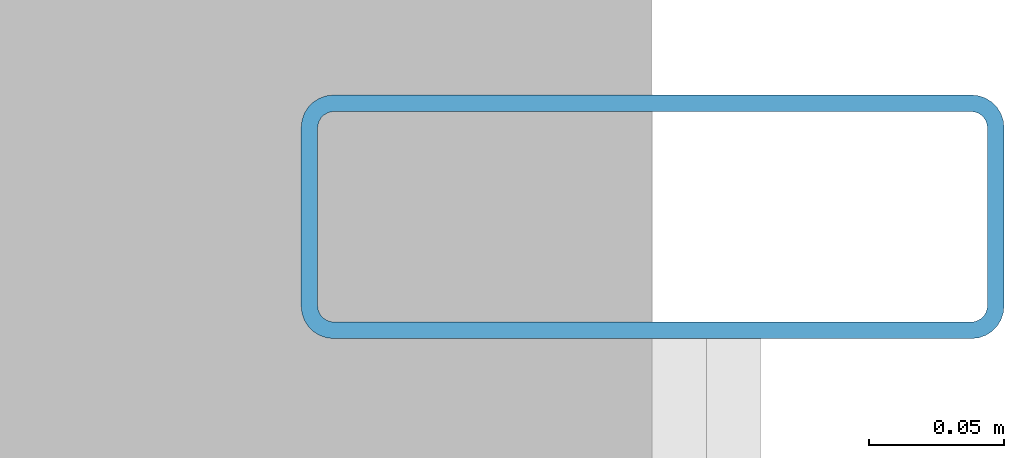
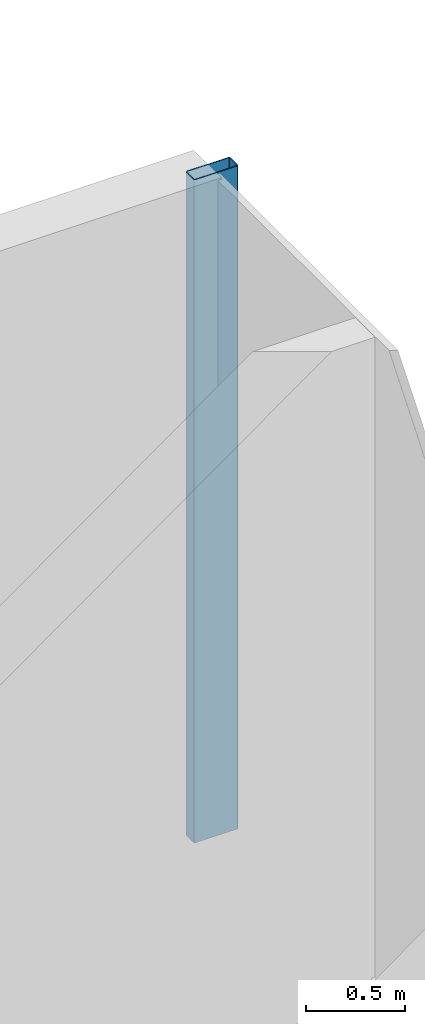
# One storey, part 9 of 14: 1 member, 1 element without a shape of its own.
"""IFC4 building model written with IfcOpenShell, lengths in metres."""

from ifc_helpers import new_model, si_unit, direction, frame, origin, origin_2d, place, context, subcontext, project, spatial, hollow_rectangle, extrude, source, transform, mapped, material, layer, layer_set, material_profile, profile_set, type_object, element, aggregate, save


model = new_model("IFC4")

# Units and contexts
model_context = context("Model", 3, precision=1e-05, world=origin(), true_north=direction((0.0, 1.0)))
body_context = subcontext(model_context, "Body", "Model", "MODEL_VIEW")
ifc_project = project(units=[si_unit("LENGTHUNIT", "METRE"), si_unit("AREAUNIT", "SQUARE_METRE"), si_unit("VOLUMEUNIT", "CUBIC_METRE"), si_unit("PLANEANGLEUNIT", "RADIAN"), si_unit("MASSUNIT", "GRAM", prefix="KILO")], contexts=[model_context])

# Site, building, storey
site_placement = place(None, origin())
site = spatial("IfcSite", under=ifc_project, at=site_placement, CompositionType="ELEMENT")
building_placement = place(site_placement, origin())
building = spatial("IfcBuilding", under=site, at=building_placement, Name="Nefas-Gora Pilgrimage Tower", CompositionType="ELEMENT")
storey_placement = place(building_placement, frame((0.0, 0.0, 363.0)))
storey = spatial("IfcBuildingStorey", under=building, at=storey_placement, Name="L91", CompositionType="ELEMENT", Elevation=363.0)

# Curtain wall, member
ifc_material_1 = material(Name="Dark ceramic-fritted solar-control aluminium-glass curtain wall", Category="aluminium")
ifc_layer = layer(ifc_material_1, 0.219970703125)
ifc_layer_set = layer_set([ifc_layer], Name="Dark ceramic-fritted solar-control aluminium-glass curtain wall")
curtain_wall_type = type_object("IfcCurtainWallType", Name="CW-SYS-6", PredefinedType="NOTDEFINED", material=ifc_layer_set)
curtain_wall_placement = place(storey_placement, origin())
curtain_wall = element("IfcCurtainWall", 1, at=curtain_wall_placement, inside=storey, type_object=curtain_wall_type, Name="L91 Unitised Curtain Wall CW6", PredefinedType="NOTDEFINED")
ifc_material_2 = material(Name="Anodised architectural aluminium", Category="aluminium")
ifc_material_profile = material_profile(ifc_material_2, hollow_rectangle(XDim=0.090087890625, YDim=0.260009765625, WallThickness=0.006103515625, InnerFilletRadius=0.006103515625, OuterFilletRadius=0.011962890625, at=origin_2d()), Name="ALU MULLION 90x260")
ifc_profile_set = profile_set([ifc_material_profile], Name="Anodised architectural aluminium")
member_type = type_object("IfcMemberType", Name="CWM-MUL-6", PredefinedType="MULLION", material=ifc_profile_set)
shared_shape = source(origin(), body_context, "Body", "SweptSolid", [
    extrude(hollow_rectangle(XDim=0.090087890625, YDim=0.260009765625, WallThickness=0.006103515625, InnerFilletRadius=0.006103515625, OuterFilletRadius=0.011962890625, at=origin_2d()), origin(), (0.0, 0.0, 1.0), 4.10009765625),
])
member_placement = place(storey_placement, frame((16.27001953125, 13.074951171875, 0.0), z_axis=(0.0, 0.0, 1.0), x_axis=(0.0, 1.0, 0.0)))
member = element("IfcMember", 2, at=member_placement, type_object=member_type, Name="CW6 Mullion 2", PredefinedType="MULLION", context=body_context, shape_type="MappedRepresentation", body=[
    mapped(shared_shape, transform((0.0, 0.0, 0.0), x_axis=(1.0, 0.0, 0.0), y_axis=(0.0, 1.0, 0.0), z_axis=(0.0, 0.0, 1.0), scale=1.0)),
])
aggregate(curtain_wall, [member])

save(model, "model.ifc")
